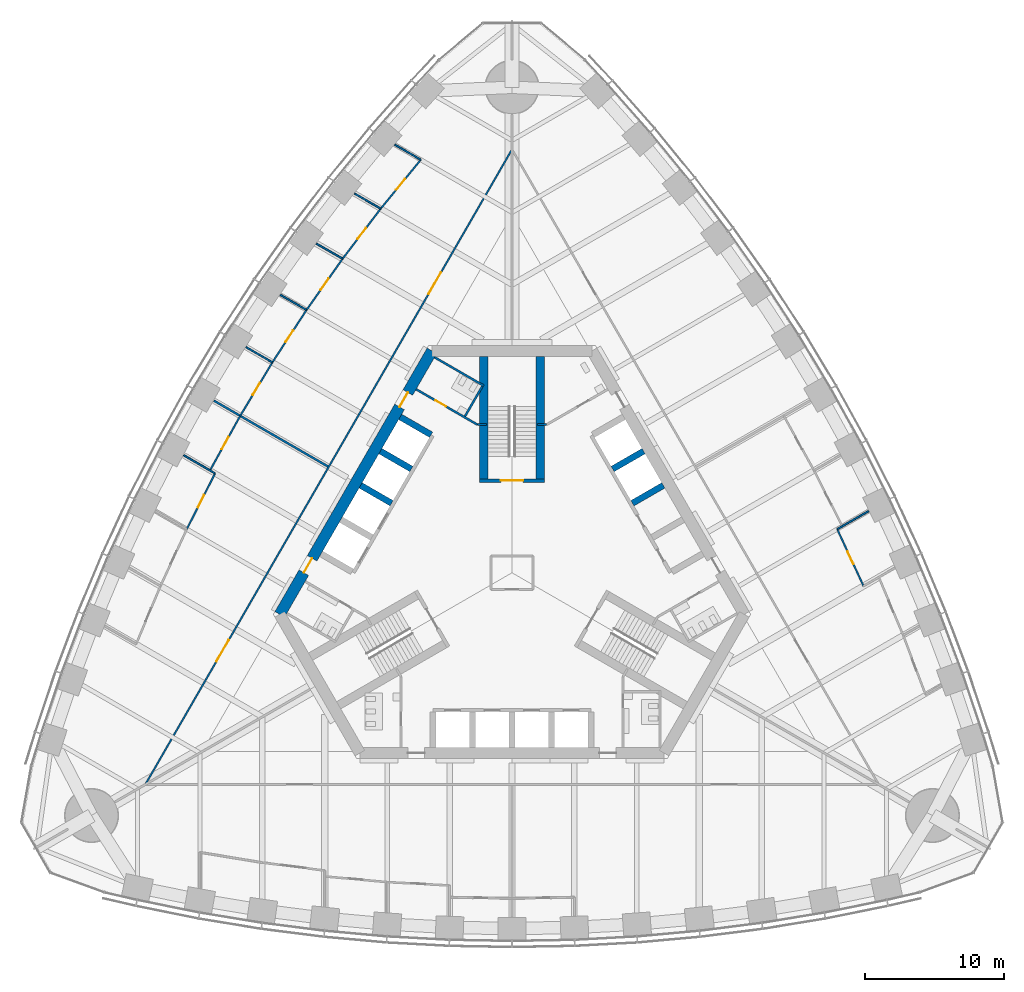
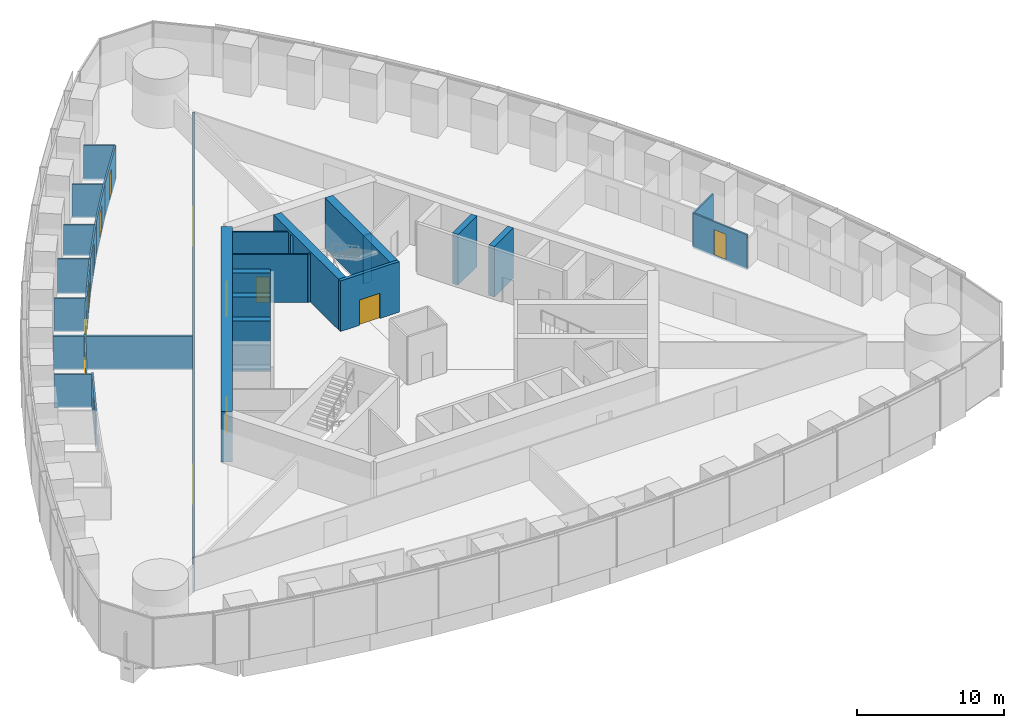
# One storey, part 12 of 18: 31 walls, 14 doors, 14 openings.
"""IFC4 building model written with IfcOpenShell, lengths in metres."""

from ifc_helpers import new_model, si_unit, direction, frame, frame_2d, origin, place, context, subcontext, project, spatial, rectangle, extrude, material, layer, layer_set, type_object, element, fill, save


model = new_model("IFC4")

# Units and contexts
model_context = context("Model", 3, precision=1e-05, world=origin(), true_north=direction((0.0, 1.0)))
body_context = subcontext(model_context, "Body", "Model", "MODEL_VIEW")
ifc_project = project(units=[si_unit("LENGTHUNIT", "METRE"), si_unit("AREAUNIT", "SQUARE_METRE"), si_unit("VOLUMEUNIT", "CUBIC_METRE"), si_unit("PLANEANGLEUNIT", "RADIAN"), si_unit("MASSUNIT", "GRAM", prefix="KILO")], contexts=[model_context])

# Site, building, storey
site_placement = place(None, origin())
site = spatial("IfcSite", under=ifc_project, at=site_placement, CompositionType="ELEMENT")
building_placement = place(site_placement, origin())
building = spatial("IfcBuilding", under=site, at=building_placement, Name="Trefoil Bronze Tower", CompositionType="ELEMENT")
storey_placement = place(building_placement, frame((0.0, 0.0, 161.89990234375)))
storey = spatial("IfcBuildingStorey", under=building, at=storey_placement, Name="L37", CompositionType="ELEMENT", Elevation=161.89990234375)

# Wall, openings, doors
ifc_material_1 = material(Name="Concrete B80", Category="concrete")
ifc_layer_1 = layer(ifc_material_1, 0.800048828125)
ifc_layer_set_1 = layer_set([ifc_layer_1], Name="Core wall 800")
wall_type_1 = type_object("IfcWallType", Name="Core wall 800", PredefinedType="SHEAR", material=ifc_layer_set_1)
wall_1_placement = place(storey_placement, frame((-5.7734375, 16.0, 0.0), z_axis=(0.0, 0.0, 1.0), x_axis=(-0.500002442456, -0.866023993627, 0.0)))
wall_1 = element("IfcWall", 1, at=wall_1_placement, inside=storey, type_object=wall_type_1, Name="Core long wall 3 L37", PredefinedType="SHEAR", context=body_context, shape_type="SweptSolid", body=[
    extrude(rectangle(XDim=21.939453125, YDim=0.800048828125, at=frame_2d((10.9697265625, 0.0))), origin(), (0.0, 0.0, 1.0), 4.2001953125),
])
opening_1_placement = place(wall_1_placement, frame((17.269775390625, 0.0, 0.0)))
opening_1 = element("IfcOpeningElement", 2, at=opening_1_placement, cuts=wall_1, Name="Opening D2", PredefinedType="OPENING", context=body_context, shape_type="SweptSolid", body=[
    extrude(rectangle(XDim=1.199951171875, YDim=2.10009765625, at=frame_2d((0.60009765625, 1.050048828125))), frame((0.0, 0.409912109375, 0.0), z_axis=(0.0, -1.0, 0.0), x_axis=(1.0, 0.0, 0.0)), (0.0, 0.0, 1.0), 0.820068359375),
])
opening_2_placement = place(wall_1_placement, frame((3.4697265625, 0.0, 0.0)))
opening_2 = element("IfcOpeningElement", 3, at=opening_2_placement, cuts=wall_1, Name="Opening D2", PredefinedType="OPENING", context=body_context, shape_type="SweptSolid", body=[
    extrude(rectangle(XDim=1.199951171875, YDim=2.10009765625, at=frame_2d((0.60009765625, 1.050048828125))), frame((0.0, 0.409912109375, 0.0), z_axis=(0.0, -1.0, 0.0), x_axis=(1.0, 0.0, 0.0)), (0.0, 0.0, 1.0), 0.820068359375),
])
ifc_material_2 = material(Name="Steel door", Category="steel")
door_type_1 = type_object("IfcDoorType", Name="Lobby door 1200", OperationType="SINGLE_SWING_RIGHT", PredefinedType="DOOR", material=ifc_material_2)
door_1_placement = place(opening_1_placement, origin())
door_1 = element("IfcDoor", 4, at=door_1_placement, inside=storey, type_object=door_type_1, Name="Lobby door F3+ L37", OperationType="SINGLE_SWING_RIGHT", OverallHeight=2.10009765625, OverallWidth=1.199951171875, PredefinedType="DOOR", context=body_context, shape_type="SweptSolid", body=[
    extrude(rectangle(XDim=1.199951171875, YDim=2.10009765625, at=frame_2d((0.60009765625, 1.050048828125))), frame((0.0, 0.02490234375, 0.0), z_axis=(0.0, -1.0, 0.0), x_axis=(1.0, 0.0, 0.0)), (0.0, 0.0, 1.0), 0.050048828125),
])
fill(opening_1, door_1)
door_2_placement = place(opening_2_placement, origin())
door_2 = element("IfcDoor", 5, at=door_2_placement, inside=storey, type_object=door_type_1, Name="Lobby door F3- L37", OperationType="SINGLE_SWING_LEFT", OverallHeight=2.10009765625, OverallWidth=1.199951171875, PredefinedType="DOOR", context=body_context, shape_type="SweptSolid", body=[
    extrude(rectangle(XDim=1.199951171875, YDim=2.10009765625, at=frame_2d((0.60009765625, 1.050048828125))), frame((0.0, 0.02490234375, 0.0), z_axis=(0.0, -1.0, 0.0), x_axis=(1.0, 0.0, 0.0)), (0.0, 0.0, 1.0), 0.050048828125),
])
fill(opening_2, door_2)

# Wall, opening, door
ifc_material_3 = material(Name="Glazed partition", Category="glass")
ifc_layer_2 = layer(ifc_material_3, 0.1201171875)
ifc_layer_set_2 = layer_set([ifc_layer_2], Name="Glazed partition 120")
wall_type_2 = type_object("IfcWallType", Name="Glazed partition 120", PredefinedType="PARTITIONING", material=ifc_layer_set_2)
wall_2_placement = place(storey_placement, frame((25.341552734375, -0.95751953125, 0.0), z_axis=(0.0, 0.0, 1.0), x_axis=(-0.419883773418, 0.907577884713, 0.0)))
wall_2 = element("IfcWall", 6, at=wall_2_placement, inside=storey, type_object=wall_type_2, Name="Partition F2 L37", PredefinedType="PARTITIONING", context=body_context, shape_type="SweptSolid", body=[
    extrude(rectangle(XDim=4.5185546875, YDim=0.1201171875, at=frame_2d((2.25927734375, 0.0))), origin(), (0.0, 0.0, 1.0), 2.900146484375),
])
opening_3_placement = place(wall_2_placement, frame((1.75, 0.0, 0.14990234375)))
opening_3 = element("IfcOpeningElement", 7, at=opening_3_placement, cuts=wall_2, Name="Opening D9", PredefinedType="OPENING", context=body_context, shape_type="SweptSolid", body=[
    extrude(rectangle(XDim=1.0, YDim=2.10009765625, at=frame_2d((0.5, 1.050048828125))), frame((0.0, 0.070068359375, 0.0), z_axis=(0.0, -1.0, 0.0), x_axis=(1.0, 0.0, 0.0)), (0.0, 0.0, 1.0), 0.14013671875),
])
ifc_material_4 = material(Name="Glazed timber door", Category="wood")
door_type_2 = type_object("IfcDoorType", Name="Meeting room door 1000", OperationType="SINGLE_SWING_LEFT", PredefinedType="DOOR", material=ifc_material_4)
door_3_placement = place(opening_3_placement, frame((1.0, 0.0, 0.0), z_axis=(0.0, 0.0, 1.0), x_axis=(-1.0, 0.0, 0.0)))
door_3 = element("IfcDoor", 8, at=door_3_placement, inside=storey, type_object=door_type_2, Name="Meeting room door F2 L37", OperationType="SINGLE_SWING_RIGHT", OverallHeight=2.10009765625, OverallWidth=1.0, PredefinedType="DOOR", context=body_context, shape_type="SweptSolid", body=[
    extrude(rectangle(XDim=1.0, YDim=2.10009765625, at=frame_2d((0.5, 1.050048828125))), frame((0.0, 0.02490234375, 0.0), z_axis=(0.0, -1.0, 0.0), x_axis=(1.0, 0.0, 0.0)), (0.0, 0.0, 1.0), 0.050048828125),
])
fill(opening_3, door_3)

# Wall
wall_3_placement = place(storey_placement, frame((23.4443359375, 3.143310546875, 0.0), z_axis=(0.0, 0.0, 1.0), x_axis=(0.866011491631, 0.500024095782, 0.0)))
element("IfcWall", 9, at=wall_3_placement, inside=storey, type_object=wall_type_2, Name="Partition F2 L37", PredefinedType="PARTITIONING", context=body_context, shape_type="SweptSolid", body=[
    extrude(rectangle(XDim=2.615478515625, YDim=0.1201171875, at=frame_2d((1.3076171875, 0.0))), origin(), (0.0, 0.0, 1.0), 2.900146484375),
])

# Wall, openings, doors
wall_4_placement = place(storey_placement, frame((-0.016357421875, 30.491455078125, 0.0), z_axis=(0.0, 0.0, 1.0), x_axis=(-0.50000091641, -0.866024874695, 0.0)))
wall_4 = element("IfcWall", 10, at=wall_4_placement, inside=storey, type_object=wall_type_2, Name="Partition F3 L37", PredefinedType="PARTITIONING", context=body_context, shape_type="SweptSolid", body=[
    extrude(rectangle(XDim=52.79638671875, YDim=0.1201171875, at=frame_2d((26.398193359375, 0.0))), origin(), (0.0, 0.0, 1.0), 2.900146484375),
])
opening_4_placement = place(wall_4_placement, frame((10.199951171875, 0.0, 0.14990234375)))
opening_4 = element("IfcOpeningElement", 11, at=opening_4_placement, cuts=wall_4, Name="Opening D10", PredefinedType="OPENING", context=body_context, shape_type="SweptSolid", body=[
    extrude(rectangle(XDim=1.800048828125, YDim=2.10009765625, at=frame_2d((0.89990234375, 1.050048828125))), frame((0.0, 0.070068359375, 0.0), z_axis=(0.0, -1.0, 0.0), x_axis=(1.0, 0.0, 0.0)), (0.0, 0.0, 1.0), 0.14013671875),
])
opening_5_placement = place(wall_4_placement, frame((40.800048828125, 0.0, 0.14990234375)))
opening_5 = element("IfcOpeningElement", 12, at=opening_5_placement, cuts=wall_4, Name="Opening D10", PredefinedType="OPENING", context=body_context, shape_type="SweptSolid", body=[
    extrude(rectangle(XDim=1.800048828125, YDim=2.10009765625, at=frame_2d((0.89990234375, 1.050048828125))), frame((0.0, 0.070068359375, 0.0), z_axis=(0.0, -1.0, 0.0), x_axis=(1.0, 0.0, 0.0)), (0.0, 0.0, 1.0), 0.14013671875),
])
ifc_material_5 = material(Name="Timber door", Category="wood")
door_type_3 = type_object("IfcDoorType", Name="Double door 1800", OperationType="DOUBLE_DOOR_SINGLE_SWING", PredefinedType="DOOR", material=ifc_material_5)
door_4_placement = place(opening_4_placement, frame((1.800048828125, 0.0, 0.0), z_axis=(0.0, 0.0, 1.0), x_axis=(-1.0, 0.0, 0.0)))
door_4 = element("IfcDoor", 13, at=door_4_placement, inside=storey, type_object=door_type_3, Name="Corridor door F3 L37", OperationType="DOUBLE_DOOR_SINGLE_SWING", OverallHeight=2.10009765625, OverallWidth=1.800048828125, PredefinedType="DOOR", context=body_context, shape_type="SweptSolid", body=[
    extrude(rectangle(XDim=1.800048828125, YDim=2.10009765625, at=frame_2d((0.89990234375, 1.050048828125))), frame((0.0, 0.02490234375, 0.0), z_axis=(0.0, -1.0, 0.0), x_axis=(1.0, 0.0, 0.0)), (0.0, 0.0, 1.0), 0.050048828125),
])
fill(opening_4, door_4)
door_5_placement = place(opening_5_placement, frame((1.800048828125, 0.0, 0.0), z_axis=(0.0, 0.0, 1.0), x_axis=(-1.0, 0.0, 0.0)))
door_5 = element("IfcDoor", 14, at=door_5_placement, inside=storey, type_object=door_type_3, Name="Corridor door F3 L37", OperationType="DOUBLE_DOOR_SINGLE_SWING", OverallHeight=2.10009765625, OverallWidth=1.800048828125, PredefinedType="DOOR", context=body_context, shape_type="SweptSolid", body=[
    extrude(rectangle(XDim=1.800048828125, YDim=2.10009765625, at=frame_2d((0.89990234375, 1.050048828125))), frame((0.0, 0.02490234375, 0.0), z_axis=(0.0, -1.0, 0.0), x_axis=(1.0, 0.0, 0.0)), (0.0, 0.0, 1.0), 0.050048828125),
])
fill(opening_5, door_5)

# Wall, opening, door
wall_5_placement = place(storey_placement, frame((-19.593505859375, 11.312255859375, 0.0), z_axis=(0.0, 0.0, 1.0), x_axis=(-0.484315883017, -0.87489320803, 0.0)))
wall_5 = element("IfcWall", 15, at=wall_5_placement, inside=storey, type_object=wall_type_2, Name="Partition F3 L37", PredefinedType="PARTITIONING", context=body_context, shape_type="SweptSolid", body=[
    extrude(rectangle(XDim=4.50048828125, YDim=0.1201171875, at=frame_2d((2.250244140625, 0.0))), origin(), (0.0, 0.0, 1.0), 2.900146484375),
])
opening_6_placement = place(wall_5_placement, frame((1.75, 0.0, 0.14990234375)))
opening_6 = element("IfcOpeningElement", 16, at=opening_6_placement, cuts=wall_5, Name="Opening D9", PredefinedType="OPENING", context=body_context, shape_type="SweptSolid", body=[
    extrude(rectangle(XDim=1.0, YDim=2.10009765625, at=frame_2d((0.5, 1.050048828125))), frame((0.0, 0.070068359375, 0.0), z_axis=(0.0, -1.0, 0.0), x_axis=(1.0, 0.0, 0.0)), (0.0, 0.0, 1.0), 0.14013671875),
])
door_6_placement = place(opening_6_placement, frame((1.0, 0.0, 0.0), z_axis=(0.0, 0.0, 1.0), x_axis=(-1.0, 0.0, 0.0)))
door_6 = element("IfcDoor", 17, at=door_6_placement, inside=storey, type_object=door_type_2, Name="Team room door F3 L37", OperationType="SINGLE_SWING_RIGHT", OverallHeight=2.10009765625, OverallWidth=1.0, PredefinedType="DOOR", context=body_context, shape_type="SweptSolid", body=[
    extrude(rectangle(XDim=1.0, YDim=2.10009765625, at=frame_2d((0.5, 1.050048828125))), frame((0.0, 0.02490234375, 0.0), z_axis=(0.0, -1.0, 0.0), x_axis=(1.0, 0.0, 0.0)), (0.0, 0.0, 1.0), 0.050048828125),
])
fill(opening_6, door_6)

wall_6_placement = place(storey_placement, frame((-21.4052734375, 7.162109375, 0.0), z_axis=(0.0, 0.0, 1.0), x_axis=(-0.452471679136, -0.891778772779, 0.0)))
wall_6 = element("IfcWall", 18, at=wall_6_placement, inside=storey, type_object=wall_type_2, Name="Partition F3 L37", PredefinedType="PARTITIONING", context=body_context, shape_type="SweptSolid", body=[
    extrude(rectangle(XDim=4.506591796875, YDim=0.1201171875, at=frame_2d((2.25341796875, 0.0))), origin(), (0.0, 0.0, 1.0), 2.900146484375),
])
opening_7_placement = place(wall_6_placement, frame((1.75, 0.0, 0.14990234375)))
opening_7 = element("IfcOpeningElement", 19, at=opening_7_placement, cuts=wall_6, Name="Opening D9", PredefinedType="OPENING", context=body_context, shape_type="SweptSolid", body=[
    extrude(rectangle(XDim=1.0, YDim=2.10009765625, at=frame_2d((0.5, 1.050048828125))), frame((0.0, 0.070068359375, 0.0), z_axis=(0.0, -1.0, 0.0), x_axis=(1.0, 0.0, 0.0)), (0.0, 0.0, 1.0), 0.14013671875),
])
door_7_placement = place(opening_7_placement, frame((1.0, 0.0, 0.0), z_axis=(0.0, 0.0, 1.0), x_axis=(-1.0, 0.0, 0.0)))
door_7 = element("IfcDoor", 20, at=door_7_placement, inside=storey, type_object=door_type_2, Name="Meeting room door F3 L37", OperationType="SINGLE_SWING_RIGHT", OverallHeight=2.10009765625, OverallWidth=1.0, PredefinedType="DOOR", context=body_context, shape_type="SweptSolid", body=[
    extrude(rectangle(XDim=1.0, YDim=2.10009765625, at=frame_2d((0.5, 1.050048828125))), frame((0.0, 0.02490234375, 0.0), z_axis=(0.0, -1.0, 0.0), x_axis=(1.0, 0.0, 0.0)), (0.0, 0.0, 1.0), 0.050048828125),
])
fill(opening_7, door_7)

wall_7_placement = place(storey_placement, frame((-12.209716796875, 22.6376953125, 0.0), z_axis=(0.0, 0.0, 1.0), x_axis=(-0.575987178736, -0.817458726745, 0.0)))
wall_7 = element("IfcWall", 21, at=wall_7_placement, inside=storey, type_object=wall_type_2, Name="Partition F3 L37", PredefinedType="PARTITIONING", context=body_context, shape_type="SweptSolid", body=[
    extrude(rectangle(XDim=4.518310546875, YDim=0.1201171875, at=frame_2d((2.25927734375, 0.0))), origin(), (0.0, 0.0, 1.0), 2.900146484375),
])
opening_8_placement = place(wall_7_placement, frame((1.75, 0.0, 0.14990234375)))
opening_8 = element("IfcOpeningElement", 22, at=opening_8_placement, cuts=wall_7, Name="Opening D9", PredefinedType="OPENING", context=body_context, shape_type="SweptSolid", body=[
    extrude(rectangle(XDim=1.0, YDim=2.10009765625, at=frame_2d((0.5, 1.050048828125))), frame((0.0, 0.070068359375, 0.0), z_axis=(0.0, -1.0, 0.0), x_axis=(1.0, 0.0, 0.0)), (0.0, 0.0, 1.0), 0.14013671875),
])
door_8_placement = place(opening_8_placement, frame((1.0, 0.0, 0.0), z_axis=(0.0, 0.0, 1.0), x_axis=(-1.0, 0.0, 0.0)))
door_8 = element("IfcDoor", 23, at=door_8_placement, inside=storey, type_object=door_type_2, Name="Team room door F3 L37", OperationType="SINGLE_SWING_RIGHT", OverallHeight=2.10009765625, OverallWidth=1.0, PredefinedType="DOOR", context=body_context, shape_type="SweptSolid", body=[
    extrude(rectangle(XDim=1.0, YDim=2.10009765625, at=frame_2d((0.5, 1.050048828125))), frame((0.0, 0.02490234375, 0.0), z_axis=(0.0, -1.0, 0.0), x_axis=(1.0, 0.0, 0.0)), (0.0, 0.0, 1.0), 0.050048828125),
])
fill(opening_8, door_8)

wall_8_placement = place(storey_placement, frame((-9.464111328125, 26.248779296875, 0.0), z_axis=(0.0, 0.0, 1.0), x_axis=(-0.605248368565, -0.796036690329, 0.0)))
wall_8 = element("IfcWall", 24, at=wall_8_placement, inside=storey, type_object=wall_type_2, Name="Partition F3 L37", PredefinedType="PARTITIONING", context=body_context, shape_type="SweptSolid", body=[
    extrude(rectangle(XDim=4.536376953125, YDim=0.1201171875, at=frame_2d((2.26806640625, 0.0))), origin(), (0.0, 0.0, 1.0), 2.900146484375),
])
opening_9_placement = place(wall_8_placement, frame((1.75, 0.0, 0.14990234375)))
opening_9 = element("IfcOpeningElement", 25, at=opening_9_placement, cuts=wall_8, Name="Opening D9", PredefinedType="OPENING", context=body_context, shape_type="SweptSolid", body=[
    extrude(rectangle(XDim=1.0, YDim=2.10009765625, at=frame_2d((0.5, 1.050048828125))), frame((0.0, 0.070068359375, 0.0), z_axis=(0.0, -1.0, 0.0), x_axis=(1.0, 0.0, 0.0)), (0.0, 0.0, 1.0), 0.14013671875),
])
door_9_placement = place(opening_9_placement, frame((1.0, 0.0, 0.0), z_axis=(0.0, 0.0, 1.0), x_axis=(-1.0, 0.0, 0.0)))
door_9 = element("IfcDoor", 26, at=door_9_placement, inside=storey, type_object=door_type_2, Name="Team room door F3 L37", OperationType="SINGLE_SWING_RIGHT", OverallHeight=2.10009765625, OverallWidth=1.0, PredefinedType="DOOR", context=body_context, shape_type="SweptSolid", body=[
    extrude(rectangle(XDim=1.0, YDim=2.10009765625, at=frame_2d((0.5, 1.050048828125))), frame((0.0, 0.02490234375, 0.0), z_axis=(0.0, -1.0, 0.0), x_axis=(1.0, 0.0, 0.0)), (0.0, 0.0, 1.0), 0.050048828125),
])
fill(opening_9, door_9)

wall_9_placement = place(storey_placement, frame((-6.573486328125, 29.776123046875, 0.0), z_axis=(0.0, 0.0, 1.0), x_axis=(-0.633843962561, -0.773460943503, 0.0)))
wall_9 = element("IfcWall", 27, at=wall_9_placement, inside=storey, type_object=wall_type_2, Name="Partition F3 L37", PredefinedType="PARTITIONING", context=body_context, shape_type="SweptSolid", body=[
    extrude(rectangle(XDim=4.560546875, YDim=0.1201171875, at=frame_2d((2.2802734375, 0.0))), origin(), (0.0, 0.0, 1.0), 2.900146484375),
])
opening_10_placement = place(wall_9_placement, frame((1.800048828125, 0.0, 0.14990234375)))
opening_10 = element("IfcOpeningElement", 28, at=opening_10_placement, cuts=wall_9, Name="Opening D9", PredefinedType="OPENING", context=body_context, shape_type="SweptSolid", body=[
    extrude(rectangle(XDim=1.0, YDim=2.10009765625, at=frame_2d((0.5, 1.050048828125))), frame((0.0, 0.070068359375, 0.0), z_axis=(0.0, -1.0, 0.0), x_axis=(1.0, 0.0, 0.0)), (0.0, 0.0, 1.0), 0.14013671875),
])
door_10_placement = place(opening_10_placement, frame((1.0, 0.0, 0.0), z_axis=(0.0, 0.0, 1.0), x_axis=(-1.0, 0.0, 0.0)))
door_10 = element("IfcDoor", 29, at=door_10_placement, inside=storey, type_object=door_type_2, Name="Team room door F3 L37", OperationType="SINGLE_SWING_LEFT", OverallHeight=2.10009765625, OverallWidth=1.0, PredefinedType="DOOR", context=body_context, shape_type="SweptSolid", body=[
    extrude(rectangle(XDim=1.0, YDim=2.10009765625, at=frame_2d((0.5, 1.050048828125))), frame((0.0, 0.02490234375, 0.0), z_axis=(0.0, -1.0, 0.0), x_axis=(1.0, 0.0, 0.0)), (0.0, 0.0, 1.0), 0.050048828125),
])
fill(opening_10, door_10)

wall_10_placement = place(storey_placement, frame((-17.273193359375, 15.1689453125, 0.0), z_axis=(0.0, 0.0, 1.0), x_axis=(-0.515524404457, -0.856874896592, 0.0)))
wall_10 = element("IfcWall", 30, at=wall_10_placement, inside=storey, type_object=wall_type_2, Name="Partition F3 L37", PredefinedType="PARTITIONING", context=body_context, shape_type="SweptSolid", body=[
    extrude(rectangle(XDim=4.5009765625, YDim=0.1201171875, at=frame_2d((2.25048828125, 0.0))), origin(), (0.0, 0.0, 1.0), 2.900146484375),
])
opening_11_placement = place(wall_10_placement, frame((1.75, 0.0, 0.14990234375)))
opening_11 = element("IfcOpeningElement", 31, at=opening_11_placement, cuts=wall_10, Name="Opening D9", PredefinedType="OPENING", context=body_context, shape_type="SweptSolid", body=[
    extrude(rectangle(XDim=1.0, YDim=2.10009765625, at=frame_2d((0.5, 1.050048828125))), frame((0.0, 0.070068359375, 0.0), z_axis=(0.0, -1.0, 0.0), x_axis=(1.0, 0.0, 0.0)), (0.0, 0.0, 1.0), 0.14013671875),
])
door_11_placement = place(opening_11_placement, frame((1.0, 0.0, 0.0), z_axis=(0.0, 0.0, 1.0), x_axis=(-1.0, 0.0, 0.0)))
door_11 = element("IfcDoor", 32, at=door_11_placement, inside=storey, type_object=door_type_2, Name="Team room door F3 L37", OperationType="SINGLE_SWING_RIGHT", OverallHeight=2.10009765625, OverallWidth=1.0, PredefinedType="DOOR", context=body_context, shape_type="SweptSolid", body=[
    extrude(rectangle(XDim=1.0, YDim=2.10009765625, at=frame_2d((0.5, 1.050048828125))), frame((0.0, 0.02490234375, 0.0), z_axis=(0.0, -1.0, 0.0), x_axis=(1.0, 0.0, 0.0)), (0.0, 0.0, 1.0), 0.050048828125),
])
fill(opening_11, door_11)

wall_11_placement = place(storey_placement, frame((-14.812255859375, 18.944091796875, 0.0), z_axis=(0.0, 0.0, 1.0), x_axis=(-0.546094247499, -0.837723744948, 0.0)))
wall_11 = element("IfcWall", 33, at=wall_11_placement, inside=storey, type_object=wall_type_2, Name="Partition F3 L37", PredefinedType="PARTITIONING", context=body_context, shape_type="SweptSolid", body=[
    extrude(rectangle(XDim=4.50634765625, YDim=0.1201171875, at=frame_2d((2.253173828125, 0.0))), origin(), (0.0, 0.0, 1.0), 2.900146484375),
])
opening_12_placement = place(wall_11_placement, frame((1.75, 0.0, 0.14990234375)))
opening_12 = element("IfcOpeningElement", 34, at=opening_12_placement, cuts=wall_11, Name="Opening D9", PredefinedType="OPENING", context=body_context, shape_type="SweptSolid", body=[
    extrude(rectangle(XDim=1.0, YDim=2.10009765625, at=frame_2d((0.5, 1.050048828125))), frame((0.0, 0.070068359375, 0.0), z_axis=(0.0, -1.0, 0.0), x_axis=(1.0, 0.0, 0.0)), (0.0, 0.0, 1.0), 0.14013671875),
])
door_12_placement = place(opening_12_placement, frame((1.0, 0.0, 0.0), z_axis=(0.0, 0.0, 1.0), x_axis=(-1.0, 0.0, 0.0)))
door_12 = element("IfcDoor", 35, at=door_12_placement, inside=storey, type_object=door_type_2, Name="Team room door F3 L37", OperationType="SINGLE_SWING_RIGHT", OverallHeight=2.10009765625, OverallWidth=1.0, PredefinedType="DOOR", context=body_context, shape_type="SweptSolid", body=[
    extrude(rectangle(XDim=1.0, YDim=2.10009765625, at=frame_2d((0.5, 1.050048828125))), frame((0.0, 0.02490234375, 0.0), z_axis=(0.0, -1.0, 0.0), x_axis=(1.0, 0.0, 0.0)), (0.0, 0.0, 1.0), 0.050048828125),
])
fill(opening_12, door_12)

# Walls
wall_12_placement = place(storey_placement, frame((-21.4052734375, 7.162109375, 0.0), z_axis=(0.0, 0.0, 1.0), x_axis=(-0.866008611403, 0.50002908413, 0.0)))
element("IfcWall", 36, at=wall_12_placement, inside=storey, type_object=wall_type_2, Name="Partition F3 L37", PredefinedType="PARTITIONING", context=body_context, shape_type="SweptSolid", body=[
    extrude(rectangle(XDim=2.618896484375, YDim=0.1201171875, at=frame_2d((1.3095703125, 0.0))), origin(), (0.0, 0.0, 1.0), 2.800048828125),
])
wall_13_placement = place(storey_placement, frame((-12.209716796875, 22.6376953125, 0.0), z_axis=(0.0, 0.0, 1.0), x_axis=(-0.866006986733, 0.500031897912, 0.0)))
element("IfcWall", 37, at=wall_13_placement, inside=storey, type_object=wall_type_2, Name="Partition F3 L37", PredefinedType="PARTITIONING", context=body_context, shape_type="SweptSolid", body=[
    extrude(rectangle(XDim=2.185302734375, YDim=0.1201171875, at=frame_2d((1.0927734375, 0.0))), origin(), (0.0, 0.0, 1.0), 2.60009765625),
])
wall_14_placement = place(storey_placement, frame((-9.464111328125, 26.248779296875, 0.0), z_axis=(0.0, 0.0, 1.0), x_axis=(-0.866054922749, 0.499948868167, 0.0)))
element("IfcWall", 38, at=wall_14_placement, inside=storey, type_object=wall_type_2, Name="Partition F3 L37", PredefinedType="PARTITIONING", context=body_context, shape_type="SweptSolid", body=[
    extrude(rectangle(XDim=2.177978515625, YDim=0.1201171875, at=frame_2d((1.0888671875, 0.0))), origin(), (0.0, 0.0, 1.0), 2.800048828125),
])
wall_15_placement = place(storey_placement, frame((-6.573486328125, 29.776123046875, 0.0), z_axis=(0.0, 0.0, 1.0), x_axis=(-0.866044951753, 0.499966140396, 0.0)))
element("IfcWall", 39, at=wall_15_placement, inside=storey, type_object=wall_type_2, Name="Partition F3 L37", PredefinedType="PARTITIONING", context=body_context, shape_type="SweptSolid", body=[
    extrude(rectangle(XDim=2.168212890625, YDim=0.1201171875, at=frame_2d((1.083984375, 0.0))), origin(), (0.0, 0.0, 1.0), 2.900146484375),
])
wall_16_placement = place(storey_placement, frame((-17.273193359375, 15.1689453125, 0.0), z_axis=(0.0, 0.0, 1.0), x_axis=(-0.866050320478, 0.499956840538, 0.0)))
element("IfcWall", 40, at=wall_16_placement, inside=storey, type_object=wall_type_2, Name="Partition F3 L37", PredefinedType="PARTITIONING", context=body_context, shape_type="SweptSolid", body=[
    extrude(rectangle(XDim=2.194091796875, YDim=0.1201171875, at=frame_2d((1.09716796875, 0.0))), origin(), (0.0, 0.0, 1.0), 2.800048828125),
])
wall_17_placement = place(storey_placement, frame((-14.812255859375, 18.944091796875, 0.0), z_axis=(0.0, 0.0, 1.0), x_axis=(-0.866005567398, 0.500034356056, 0.0)))
element("IfcWall", 41, at=wall_17_placement, inside=storey, type_object=wall_type_2, Name="Partition F3 L37", PredefinedType="PARTITIONING", context=body_context, shape_type="SweptSolid", body=[
    extrude(rectangle(XDim=2.190673828125, YDim=0.1201171875, at=frame_2d((1.09521484375, 0.0))), origin(), (0.0, 0.0, 1.0), 2.900146484375),
])
ifc_material_6 = material(Name="Concrete B80", Category="concrete")
ifc_layer_3 = layer(ifc_material_6, 0.449951171875)
ifc_layer_set_3 = layer_set([ifc_layer_3], Name="Outrigger shaft wall 450")
wall_type_3 = type_object("IfcWallType", Name="Outrigger shaft wall 450", PredefinedType="SHEAR", material=ifc_layer_set_3)
for number, where, z_axis, x_axis, name in (
    (42, (8.681884765625, 5.012451171875, 0.0), (0.0, 0.0, 1.0), (0.866005588531, 0.500034319456, 0.0), "Lift shaft side wall B2 L37"),
    (43, (7.2568359375, 7.480712890625, 0.0), (0.0, 0.0, 1.0), (0.866046643894, 0.499963209246, 0.0), "Lift shaft side wall B3 L37"),
):
    element("IfcWall", number, at=place(storey_placement, frame(where, z_axis=z_axis, x_axis=x_axis)), inside=storey, type_object=wall_type_3, Name=name, PredefinedType="SHEAR", context=body_context, shape_type="SweptSolid", body=[
        extrude(rectangle(XDim=2.574951171875, YDim=0.449951171875, at=frame_2d((1.28759765625, 0.0))), origin(), (0.0, 0.0, 1.0), 4.2001953125),
    ])
wall_18_placement = place(storey_placement, frame((-5.831787109375, 9.94873046875, 0.0), z_axis=(0.0, 0.0, 1.0), x_axis=(-0.866029291668, 0.499993265928, 0.0)))
element("IfcWall", 44, at=wall_18_placement, inside=storey, type_object=wall_type_3, Name="Lift shaft side wall C0 L37", PredefinedType="SHEAR", context=body_context, shape_type="SweptSolid", body=[
    extrude(rectangle(XDim=2.5751953125, YDim=0.449951171875, at=frame_2d((1.28759765625, 0.0))), origin(), (0.0, 0.0, 1.0), 4.2001953125),
])
for number, where, z_axis, x_axis, name in (
    (45, (-7.2568359375, 7.480712890625, 0.0), (0.0, 0.0, 1.0), (-0.866046643894, 0.499963209246, 0.0), "Lift shaft side wall C1 L37"),
    (46, (-8.681884765625, 5.012451171875, 0.0), (0.0, 0.0, 1.0), (-0.866005588531, 0.500034319456, 0.0), "Lift shaft side wall C2 L37"),
):
    element("IfcWall", number, at=place(storey_placement, frame(where, z_axis=z_axis, x_axis=x_axis)), inside=storey, type_object=wall_type_3, Name=name, PredefinedType="SHEAR", context=body_context, shape_type="SweptSolid", body=[
        extrude(rectangle(XDim=2.574951171875, YDim=0.449951171875, at=frame_2d((1.28759765625, 0.0))), origin(), (0.0, 0.0, 1.0), 4.2001953125),
    ])

# Wall, opening, door
ifc_material_7 = material(Name="Gypsum board on steel studs", Category="steel")
ifc_layer_4 = layer(ifc_material_7, 0.14990234375)
ifc_layer_set_4 = layer_set([ifc_layer_4], Name="Partition 150")
wall_type_4 = type_object("IfcWallType", Name="Partition 150", PredefinedType="PARTITIONING", material=ifc_layer_set_4)
wall_19_placement = place(storey_placement, frame((-2.4951171875, 10.67822265625, 0.0), z_axis=(0.0, 0.0, 1.0), x_axis=(-0.86602216432, 0.500005610874, 0.0)))
wall_19 = element("IfcWall", 47, at=wall_19_placement, inside=storey, type_object=wall_type_4, Name="Passage wall F3- L37", PredefinedType="PARTITIONING", context=body_context, shape_type="SweptSolid", body=[
    extrude(rectangle(XDim=5.10009765625, YDim=0.14990234375, at=frame_2d((2.550048828125, 0.0))), origin(), (0.0, 0.0, 1.0), 4.0),
])
opening_13_placement = place(wall_19_placement, frame((2.60009765625, 0.0, 0.0)))
opening_13 = element("IfcOpeningElement", 48, at=opening_13_placement, cuts=wall_19, Name="Opening D3", PredefinedType="OPENING", context=body_context, shape_type="SweptSolid", body=[
    extrude(rectangle(XDim=0.89990234375, YDim=2.10009765625, at=frame_2d((0.449951171875, 1.050048828125))), frame((0.0, 0.0849609375, 0.0), z_axis=(0.0, -1.0, 0.0), x_axis=(1.0, 0.0, 0.0)), (0.0, 0.0, 1.0), 0.169921875),
])
ifc_material_8 = material(Name="Timber door", Category="wood")
door_type_4 = type_object("IfcDoorType", Name="WC door 900", OperationType="SINGLE_SWING_LEFT", PredefinedType="DOOR", material=ifc_material_8)
door_13_placement = place(opening_13_placement, frame((0.89990234375, 0.0, 0.0), z_axis=(0.0, 0.0, 1.0), x_axis=(-1.0, 0.0, 0.0)))
door_13 = element("IfcDoor", 49, at=door_13_placement, inside=storey, type_object=door_type_4, Name="WC (women) door L37", OperationType="SINGLE_SWING_RIGHT", OverallHeight=2.10009765625, OverallWidth=0.89990234375, PredefinedType="DOOR", context=body_context, shape_type="SweptSolid", body=[
    extrude(rectangle(XDim=0.89990234375, YDim=2.10009765625, at=frame_2d((0.449951171875, 1.050048828125))), frame((0.0, 0.02490234375, 0.0), z_axis=(0.0, -1.0, 0.0), x_axis=(1.0, 0.0, 0.0)), (0.0, 0.0, 1.0), 0.050048828125),
])
fill(opening_13, door_13)

# Walls
for number, where, z_axis, x_axis, name in (
    (50, (2.4951171875, 10.67822265625, 0.0), (0.0, 0.0, 1.0), (-1.0, 0.0, 0.0), "WC wall ST2-1 L37"),
    (51, (-2.4951171875, 10.67822265625, 0.0), (0.0, 0.0, 1.0), (1.0, 0.0, 0.0), "WC wall ST2+1 L37"),
):
    element("IfcWall", number, at=place(storey_placement, frame(where, z_axis=z_axis, x_axis=x_axis)), inside=storey, type_object=wall_type_4, Name=name, PredefinedType="PARTITIONING", context=body_context, shape_type="SweptSolid", body=[
        extrude(rectangle(XDim=0.64501953125, YDim=0.14990234375, at=frame_2d((0.322509765625, 0.0))), origin(), (0.0, 0.0, 1.0), 4.0),
    ])
wall_20_placement = place(storey_placement, frame((-2.03125, 13.48193359375, 0.0), z_axis=(0.0, 0.0, 1.0), x_axis=(-0.866050731258, 0.499956128963, 0.0)))
element("IfcWall", 52, at=wall_20_placement, inside=storey, type_object=wall_type_4, Name="WC partition WC (women) L37", PredefinedType="PARTITIONING", context=body_context, shape_type="SweptSolid", body=[
    extrude(rectangle(XDim=4.099853515625, YDim=0.14990234375, at=frame_2d((2.0498046875, 0.0))), origin(), (0.0, 0.0, 1.0), 4.0),
])
wall_21_placement = place(storey_placement, frame((-3.388671875, 11.28076171875, 0.0), z_axis=(0.0, 0.0, 1.0), x_axis=(0.499989096993, 0.866031698547, 0.0)))
element("IfcWall", 53, at=wall_21_placement, inside=storey, type_object=wall_type_4, Name="WC partition WC (women) L37", PredefinedType="PARTITIONING", context=body_context, shape_type="SweptSolid", body=[
    extrude(rectangle(XDim=2.509765625, YDim=0.14990234375, at=frame_2d((1.2548828125, 0.0))), origin(), (0.0, 0.0, 1.0), 4.0),
])
ifc_material_9 = material(Name="Gypsum board on steel studs", Category="steel")
ifc_layer_5 = layer(ifc_material_9, 0.14990234375)
ifc_layer_set_5 = layer_set([ifc_layer_5], Name="Party wall 150")
wall_type_5 = type_object("IfcWallType", Name="Party wall 150", PredefinedType="PARTITIONING", material=ifc_layer_set_5)
wall_22_placement = place(storey_placement, frame((-13.267578125, 7.659912109375, 0.0), z_axis=(0.0, 0.0, 1.0), x_axis=(-0.866013963754, 0.500019814191, 0.0)))
element("IfcWall", 54, at=wall_22_placement, inside=storey, type_object=wall_type_5, Name="Demising wall F3 L37", PredefinedType="PARTITIONING", context=body_context, shape_type="SweptSolid", body=[
    extrude(rectangle(XDim=9.49951171875, YDim=0.14990234375, at=frame_2d((4.749755859375, 0.0))), origin(), (0.0, 0.0, 1.0), 2.800048828125),
])

# Wall, opening, door
ifc_material_10 = material(Name="Concrete B80", Category="concrete")
ifc_layer_6 = layer(ifc_material_10, 0.25)
ifc_layer_set_6 = layer_set([ifc_layer_6], Name="Shaft wall 250")
wall_type_6 = type_object("IfcWallType", Name="Shaft wall 250", PredefinedType="SHEAR", material=ifc_layer_set_6)
wall_23_placement = place(storey_placement, frame((2.324951171875, 6.64990234375, 0.0), z_axis=(0.0, 0.0, 1.0), x_axis=(-1.0, 0.0, 0.0)))
wall_23 = element("IfcWall", 55, at=wall_23_placement, inside=storey, type_object=wall_type_6, Name="Stair end wall ST2 L37", PredefinedType="SHEAR", context=body_context, shape_type="SweptSolid", body=[
    extrude(rectangle(XDim=4.64990234375, YDim=0.25, at=frame_2d((2.324951171875, 0.0))), origin(), (0.0, 0.0, 1.0), 4.2001953125),
])
opening_14_placement = place(wall_23_placement, frame((1.52490234375, 0.0, 0.0)))
opening_14 = element("IfcOpeningElement", 56, at=opening_14_placement, cuts=wall_23, Name="Opening D1", PredefinedType="OPENING", context=body_context, shape_type="SweptSolid", body=[
    extrude(rectangle(XDim=1.60009765625, YDim=2.10009765625, at=frame_2d((0.800048828125, 1.050048828125))), frame((0.0, 0.135009765625, 0.0), z_axis=(0.0, -1.0, 0.0), x_axis=(1.0, 0.0, 0.0)), (0.0, 0.0, 1.0), 0.27001953125),
])
ifc_material_11 = material(Name="Steel door", Category="steel")
door_type_5 = type_object("IfcDoorType", Name="Stair door 1600", OperationType="DOUBLE_DOOR_SINGLE_SWING", PredefinedType="DOOR", material=ifc_material_11)
door_14_placement = place(opening_14_placement, frame((1.60009765625, 0.0, 0.0), z_axis=(0.0, 0.0, 1.0), x_axis=(-1.0, 0.0, 0.0)))
door_14 = element("IfcDoor", 57, at=door_14_placement, inside=storey, type_object=door_type_5, Name="Stair door ST2 L37", OperationType="DOUBLE_DOOR_SINGLE_SWING", OverallHeight=2.10009765625, OverallWidth=1.60009765625, PredefinedType="DOOR", context=body_context, shape_type="SweptSolid", body=[
    extrude(rectangle(XDim=1.60009765625, YDim=2.10009765625, at=frame_2d((0.800048828125, 1.050048828125))), frame((0.0, 0.02490234375, 0.0), z_axis=(0.0, -1.0, 0.0), x_axis=(1.0, 0.0, 0.0)), (0.0, 0.0, 1.0), 0.050048828125),
])
fill(opening_14, door_14)

# Walls
ifc_material_12 = material(Name="Concrete B80", Category="concrete")
ifc_layer_7 = layer(ifc_material_12, 0.60009765625)
ifc_layer_set_7 = layer_set([ifc_layer_7], Name="Stair wall 600")
wall_type_7 = type_object("IfcWallType", Name="Stair wall 600", PredefinedType="SHEAR", material=ifc_layer_set_7)
for number, where, z_axis, x_axis, name in (
    (58, (2.02490234375, 6.52490234375, 0.0), (0.0, 0.0, 1.0), (0.0, 1.0, 0.0), "Stair wall ST2 L37"),
    (59, (-2.02490234375, 6.52490234375, 0.0), (0.0, 0.0, 1.0), (0.0, 1.0, 0.0), "Stair wall ST2 L37"),
):
    element("IfcWall", number, at=place(storey_placement, frame(where, z_axis=z_axis, x_axis=x_axis)), inside=storey, type_object=wall_type_7, Name=name, PredefinedType="SHEAR", context=body_context, shape_type="SweptSolid", body=[
        extrude(rectangle(XDim=9.0751953125, YDim=0.60009765625, at=frame_2d((4.53759765625, 0.0))), origin(), (0.0, 0.0, 1.0), 4.2001953125),
    ])

save(model, "model.ifc")
